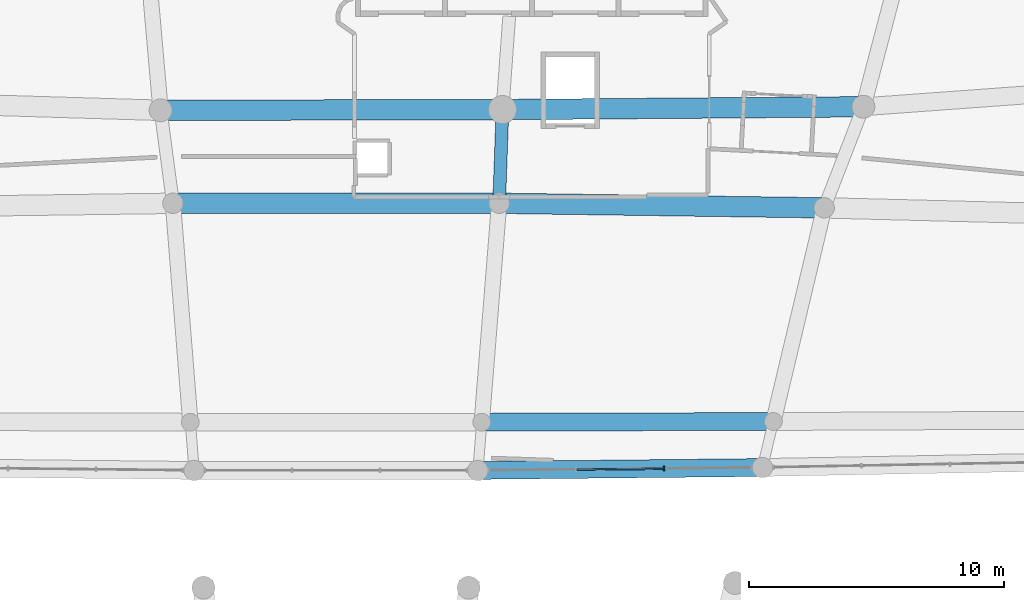
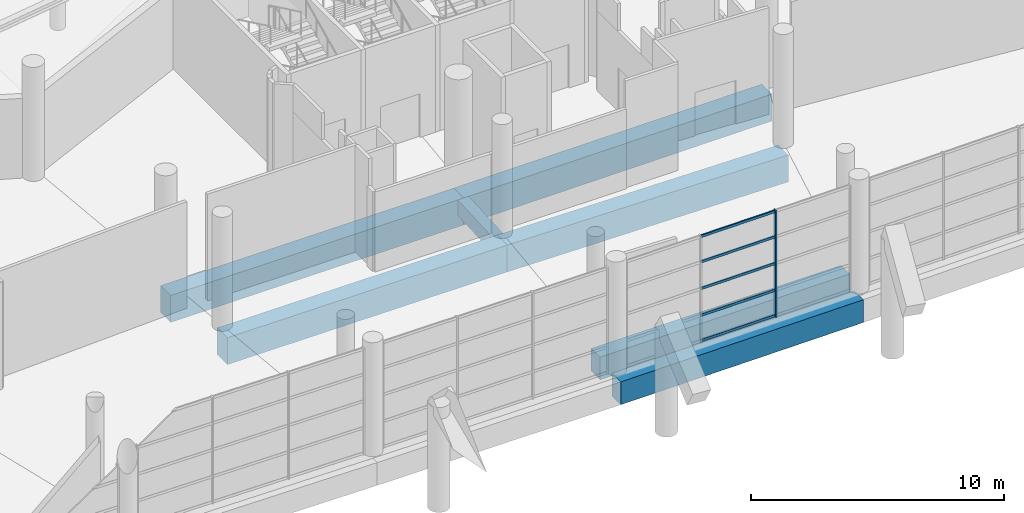
# One storey, part 86 of 271: 7 beams, 6 members, 1 element without a shape of its own.
"""IFC4 building model written with IfcOpenShell, lengths in metres."""

from ifc_helpers import new_model, si_unit, direction, frame, origin, origin_2d, place, context, subcontext, project, spatial, rectangle, extrude, material, layer, layer_set, material_profile, profile_set, type_object, element, aggregate, save


model = new_model("IFC4")

# Units and contexts
model_context = context("Model", 3, precision=1e-05, world=origin(), true_north=direction((0.0, 1.0)))
body_context = subcontext(model_context, "Body", "Model", "MODEL_VIEW")
ifc_project = project(units=[si_unit("LENGTHUNIT", "METRE"), si_unit("AREAUNIT", "SQUARE_METRE"), si_unit("VOLUMEUNIT", "CUBIC_METRE"), si_unit("PLANEANGLEUNIT", "RADIAN"), si_unit("MASSUNIT", "GRAM", prefix="KILO")], contexts=[model_context])

# Site, building, storey
site_placement = place(None, origin())
site = spatial("IfcSite", under=ifc_project, at=site_placement, CompositionType="ELEMENT")
building_placement = place(site_placement, origin())
building = spatial("IfcBuilding", under=site, at=building_placement, Name="Meseta Stadium", CompositionType="ELEMENT")
storey_placement = place(building_placement, frame((0.0, 0.0, 6.5)))
storey = spatial("IfcBuildingStorey", under=building, at=storey_placement, Name="L01", CompositionType="ELEMENT", Elevation=6.5)

# Curtain wall, members
ifc_material_1 = material(Name="Aluminium", Category="aluminium")
ifc_layer = layer(ifc_material_1, 0.199951171875)
ifc_layer_set = layer_set([ifc_layer], Name="Club glazing curtain wall")
curtain_wall_type = type_object("IfcCurtainWallType", Name="Club glazing curtain wall", PredefinedType="NOTDEFINED", material=ifc_layer_set)
curtain_wall_placement = place(storey_placement, origin())
curtain_wall = element("IfcCurtainWall", 1, at=curtain_wall_placement, inside=storey, type_object=curtain_wall_type, Name="Club glazing bay 17", PredefinedType="NOTDEFINED")
ifc_material_2 = material(Name="Aluminium", Category="aluminium")
ifc_material_profile_1 = material_profile(ifc_material_2, rectangle(XDim=0.159912109375, YDim=0.06005859375, at=origin_2d()), Name="CW 160x60")
ifc_profile_set_1 = profile_set([ifc_material_profile_1], Name="Aluminium")
member_type_1 = type_object("IfcMemberType", Name="CW mullion 60x160", PredefinedType="MULLION", material=ifc_profile_set_1)
member_1_placement = place(storey_placement, frame((12.8505859375, 75.489990234375, 0.0), z_axis=(0.0, 0.0, 1.0), x_axis=(0.010278991253, -0.999947169774, 0.0)))
member_1 = element("IfcMember", 2, at=member_1_placement, type_object=member_type_1, Name="CWC mullion 2", PredefinedType="MULLION", context=body_context, shape_type="SweptSolid", body=[
    extrude(rectangle(XDim=0.159912109375, YDim=0.06005859375, at=origin_2d()), origin(), (0.0, 0.0, 1.0), 5.14990234375),
])
ifc_material_3 = material(Name="Aluminium", Category="aluminium")
ifc_material_profile_2 = material_profile(ifc_material_3, rectangle(XDim=0.06005859375, YDim=0.1201171875, at=origin_2d()), Name="CW 60x120")
ifc_profile_set_2 = profile_set([ifc_material_profile_2], Name="Aluminium")
member_type_2 = type_object("IfcMemberType", Name="CW transom 60x120", PredefinedType="USERDEFINED", material=ifc_profile_set_2)
member_2_placement = place(storey_placement, frame((12.820556640625, 75.489501953125, 0.06005859375), z_axis=(-0.99994761924, -0.010235173498, 0.0), x_axis=(0.010235173498, -0.99994761924, 0.0)))
member_2 = element("IfcMember", 3, at=member_2_placement, type_object=member_type_2, Name="CWC transom 2.1", ObjectType="TRANSOM", PredefinedType="USERDEFINED", context=body_context, shape_type="SweptSolid", body=[
    extrude(rectangle(XDim=0.06005859375, YDim=0.1201171875, at=origin_2d()), origin(), (0.0, 0.0, 1.0), 3.38720703125),
])
member_3_placement = place(storey_placement, frame((12.820556640625, 75.489501953125, 1.28759765625), z_axis=(-0.99994761924, -0.010235173498, 0.0), x_axis=(0.010235173498, -0.99994761924, 0.0)))
member_3 = element("IfcMember", 4, at=member_3_placement, type_object=member_type_2, Name="CWC transom 2.2", ObjectType="TRANSOM", PredefinedType="USERDEFINED", context=body_context, shape_type="SweptSolid", body=[
    extrude(rectangle(XDim=0.06005859375, YDim=0.1201171875, at=origin_2d()), origin(), (0.0, 0.0, 1.0), 3.38720703125),
])
member_4_placement = place(storey_placement, frame((12.820556640625, 75.489501953125, 2.574951171875), z_axis=(-0.99994761924, -0.010235173498, 0.0), x_axis=(0.010235173498, -0.99994761924, 0.0)))
member_4 = element("IfcMember", 5, at=member_4_placement, type_object=member_type_2, Name="CWC transom 2.3", ObjectType="TRANSOM", PredefinedType="USERDEFINED", context=body_context, shape_type="SweptSolid", body=[
    extrude(rectangle(XDim=0.06005859375, YDim=0.1201171875, at=origin_2d()), origin(), (0.0, 0.0, 1.0), 3.38720703125),
])
member_5_placement = place(storey_placement, frame((12.820556640625, 75.489501953125, 3.862548828125), z_axis=(-0.99994761924, -0.010235173498, 0.0), x_axis=(0.010235173498, -0.99994761924, 0.0)))
member_5 = element("IfcMember", 6, at=member_5_placement, type_object=member_type_2, Name="CWC transom 2.4", ObjectType="TRANSOM", PredefinedType="USERDEFINED", context=body_context, shape_type="SweptSolid", body=[
    extrude(rectangle(XDim=0.06005859375, YDim=0.1201171875, at=origin_2d()), origin(), (0.0, 0.0, 1.0), 3.38720703125),
])
member_6_placement = place(storey_placement, frame((12.820556640625, 75.489501953125, 5.090087890625), z_axis=(-0.99994761924, -0.010235173498, 0.0), x_axis=(0.010235173498, -0.99994761924, 0.0)))
member_6 = element("IfcMember", 7, at=member_6_placement, type_object=member_type_2, Name="CWC transom 2.5", ObjectType="TRANSOM", PredefinedType="USERDEFINED", context=body_context, shape_type="SweptSolid", body=[
    extrude(rectangle(XDim=0.06005859375, YDim=0.1201171875, at=origin_2d()), origin(), (0.0, 0.0, 1.0), 3.38720703125),
])
aggregate(curtain_wall, [member_1, member_2, member_3, member_4, member_5, member_6])

# Beams
ifc_material_4 = material(Name="Concrete C40/50", Category="concrete")
ifc_material_profile_3 = material_profile(ifc_material_4, rectangle(XDim=0.5, YDim=0.75, at=origin_2d()), Name="RC 500x750")
ifc_profile_set_3 = profile_set([ifc_material_profile_3], Name="Concrete C40/50")
beam_type_1 = type_object("IfcBeamType", Name="RC beam 500x750", PredefinedType="BEAM", material=ifc_profile_set_3)
beam_1_placement = place(storey_placement, frame((6.386962890625, 85.876708984375, -0.72509765625), z_axis=(0.035437776234, 0.999371884743, 0.0), x_axis=(-0.999371884743, 0.035437776234, 0.0)))
element("IfcBeam", 8, at=beam_1_placement, inside=storey, type_object=beam_type_1, Name="L01 radial beam frame 18 line E to P", PredefinedType="BEAM", context=body_context, shape_type="SweptSolid", body=[
    extrude(rectangle(XDim=0.5, YDim=0.75, at=origin_2d()), origin(), (0.0, 0.0, 1.0), 3.671875),
])
ifc_material_5 = material(Name="Concrete C40/50", Category="concrete")
ifc_material_profile_4 = material_profile(ifc_material_5, rectangle(XDim=0.699951171875, YDim=1.10009765625, at=origin_2d()), Name="RC 700x1100")
ifc_profile_set_4 = profile_set([ifc_material_profile_4], Name="Concrete C40/50")
beam_type_2 = type_object("IfcBeamType", Name="RC beam 700x1100", PredefinedType="BEAM", material=ifc_profile_set_4)
beam_2_placement = place(storey_placement, frame((16.697509765625, 75.529296875, -0.89990234375), z_axis=(-0.99994718914, -0.010277107175, 0.0), x_axis=(0.010277107175, -0.99994718914, 0.0)))
element("IfcBeam", 9, at=beam_2_placement, inside=storey, type_object=beam_type_2, Name="L01 ring beam frame 17 line C", PredefinedType="BEAM", context=body_context, shape_type="SweptSolid", body=[
    extrude(rectangle(XDim=0.699951171875, YDim=1.10009765625, at=origin_2d()), origin(), (0.0, 0.0, 1.0), 11.141357421875),
])
beam_3_placement = place(storey_placement, frame((17.126708984375, 77.33203125, -0.89990234375), z_axis=(-0.999996925183, -0.002479843584, 0.0), x_axis=(0.002479843584, -0.999996925183, 0.0)))
element("IfcBeam", 10, at=beam_3_placement, inside=storey, type_object=beam_type_2, Name="L01 ring beam frame 17 line D", PredefinedType="BEAM", context=body_context, shape_type="SweptSolid", body=[
    extrude(rectangle(XDim=0.699951171875, YDim=1.10009765625, at=origin_2d()), origin(), (0.0, 0.0, 1.0), 11.420166015625),
])
ifc_material_6 = material(Name="Concrete C40/50", Category="concrete")
ifc_material_profile_5 = material_profile(ifc_material_6, rectangle(XDim=0.800048828125, YDim=1.300048828125, at=origin_2d()), Name="RC 800x1300")
ifc_profile_set_5 = profile_set([ifc_material_profile_5], Name="Concrete C40/50")
beam_type_3 = type_object("IfcBeamType", Name="RC beam 800x1300", PredefinedType="BEAM", material=ifc_profile_set_5)
beam_4_placement = place(storey_placement, frame((19.11865234375, 85.6982421875, -1.0), z_axis=(-0.999901768948, 0.014016149746, 0.0), x_axis=(-0.014016149746, -0.999901768948, 0.0)))
element("IfcBeam", 11, at=beam_4_placement, inside=storey, type_object=beam_type_3, Name="L01 ring beam frame 17 line E", PredefinedType="BEAM", context=body_context, shape_type="SweptSolid", body=[
    extrude(rectangle(XDim=0.800048828125, YDim=1.300048828125, at=origin_2d()), origin(), (0.0, 0.0, 1.0), 12.73291015625),
])
beam_5_placement = place(storey_placement, frame((20.649658203125, 89.65625, -1.0), z_axis=(-0.999969785649, -0.007773531251, 0.0), x_axis=(0.007773531251, -0.999969785649, 0.0)))
element("IfcBeam", 12, at=beam_5_placement, inside=storey, type_object=beam_type_3, Name="L01 ring beam frame 17 line P", PredefinedType="BEAM", context=body_context, shape_type="SweptSolid", body=[
    extrude(rectangle(XDim=0.800048828125, YDim=1.300048828125, at=origin_2d()), origin(), (0.0, 0.0, 1.0), 14.133056640625),
])
beam_6_placement = place(storey_placement, frame((6.386962890625, 85.876708984375, -1.0), z_axis=(-1.0, 0.0, 0.0), x_axis=(0.0, -1.0, 0.0)))
element("IfcBeam", 13, at=beam_6_placement, inside=storey, type_object=beam_type_3, Name="L01 ring beam frame 18 line E", PredefinedType="BEAM", context=body_context, shape_type="SweptSolid", body=[
    extrude(rectangle(XDim=0.800048828125, YDim=1.300048828125, at=origin_2d()), origin(), (0.0, 0.0, 1.0), 12.77392578125),
])
beam_7_placement = place(storey_placement, frame((6.51708984375, 89.54638671875, -1.0), z_axis=(-0.999997723809, -0.002133629982, 0.0), x_axis=(0.002133629982, -0.999997723809, 0.0)))
element("IfcBeam", 14, at=beam_7_placement, inside=storey, type_object=beam_type_3, Name="L01 ring beam frame 18 line P", PredefinedType="BEAM", context=body_context, shape_type="SweptSolid", body=[
    extrude(rectangle(XDim=0.800048828125, YDim=1.300048828125, at=origin_2d()), origin(), (0.0, 0.0, 1.0), 13.3876953125),
])

save(model, "model.ifc")
